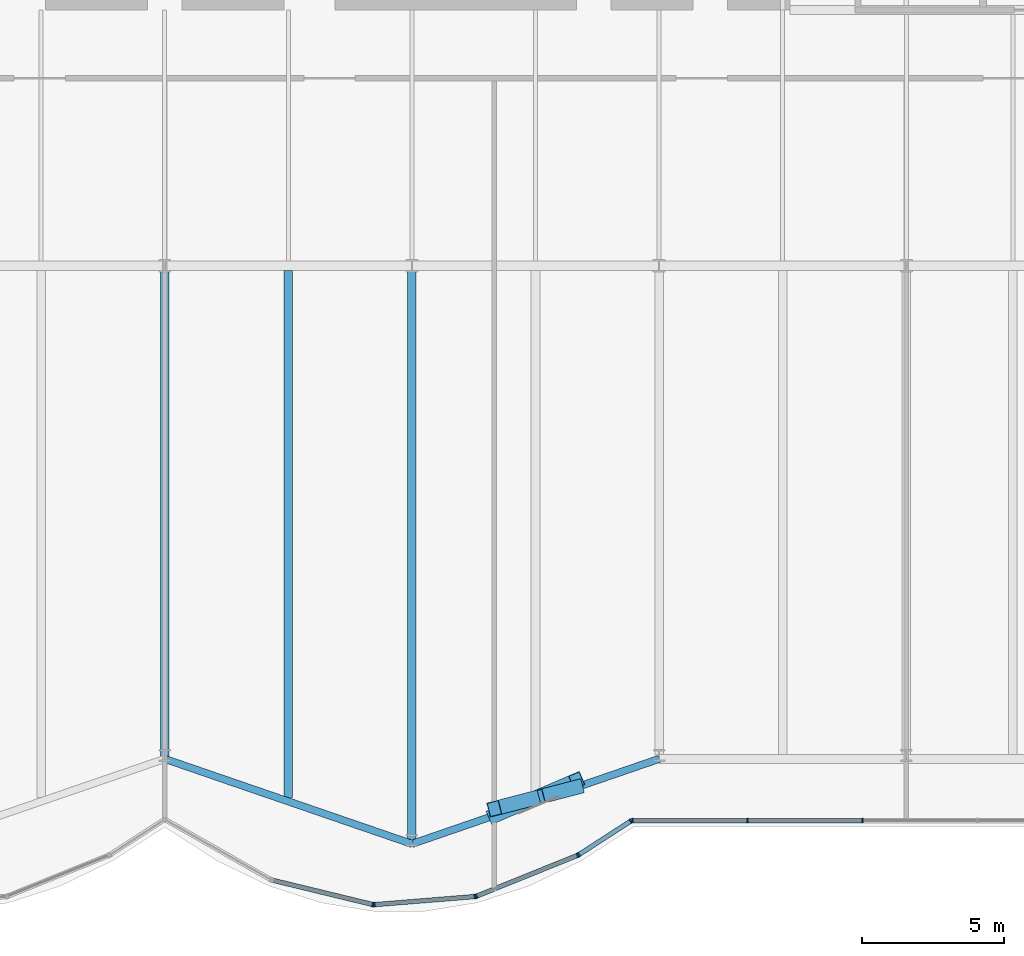
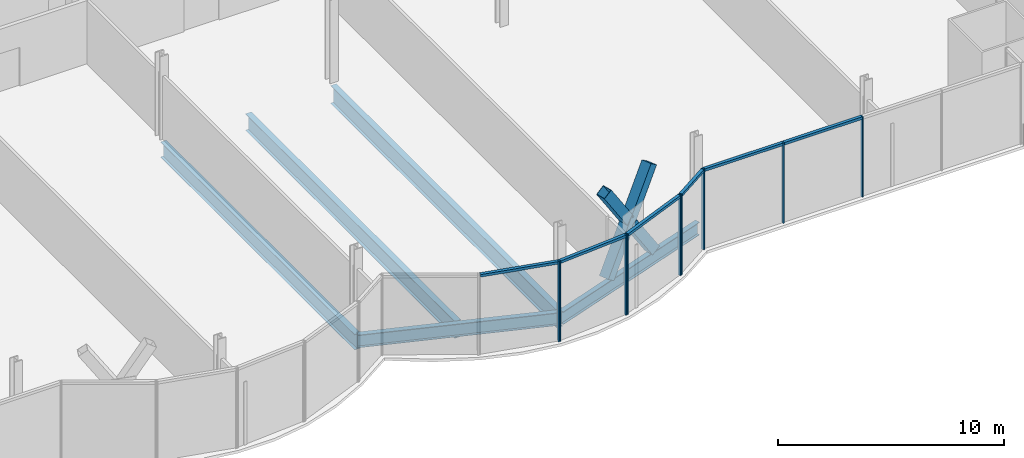
# One storey, part 8 of 22: 19 members, 5 beams, 2 elements without a shape of their own.
"""IFC4 building model written with IfcOpenShell, lengths in metres."""

from ifc_helpers import new_model, si_unit, direction, frame, origin, origin_2d, place, context, subcontext, project, spatial, rectangle, hollow_rectangle, i_section, extrude, material, material_profile, profile_set, type_object, element, aggregate, save


model = new_model("IFC4")

# Units and contexts
model_context = context("Model", 3, precision=1e-05, world=origin(), true_north=direction((0.0, 1.0)))
body_context = subcontext(model_context, "Body", "Model", "MODEL_VIEW")
ifc_project = project(units=[si_unit("LENGTHUNIT", "METRE"), si_unit("AREAUNIT", "SQUARE_METRE"), si_unit("VOLUMEUNIT", "CUBIC_METRE"), si_unit("PLANEANGLEUNIT", "RADIAN"), si_unit("MASSUNIT", "GRAM", prefix="KILO")], contexts=[model_context])

# Site, building, storey
site_placement = place(None, origin())
site = spatial("IfcSite", under=ifc_project, at=site_placement, CompositionType="ELEMENT")
building_placement = place(site_placement, origin())
building = spatial("IfcBuilding", under=site, at=building_placement, Name="Bicima Exchange Tower", CompositionType="ELEMENT")
storey_placement = place(building_placement, frame((0.0, 0.0, 39.5)))
storey = spatial("IfcBuildingStorey", under=building, at=storey_placement, Name="L07", CompositionType="ELEMENT", Elevation=39.5)

# Beams
ifc_material_1 = material(Name="Steel ASTM A992 Gr 50", Category="steel")
ifc_material_profile_1 = material_profile(ifc_material_1, i_section(OverallWidth=0.2919921875, OverallDepth=0.835693359375, WebThickness=0.013916015625, FlangeThickness=0.018798828125, at=origin_2d()))
ifc_profile_set_1 = profile_set([ifc_material_profile_1], Name="Steel ASTM A992 Gr 50")
beam_type_1 = type_object("IfcBeamType", Name="Floor beam W33x118", PredefinedType="JOIST", material=ifc_profile_set_1)
beam_1_placement = place(storey_placement, frame((0.0, -22.16259765625, -0.56787109375), z_axis=(0.0, -1.0, 0.0), x_axis=(1.0, 0.0, 0.0)))
element("IfcBeam", 1, at=beam_1_placement, inside=storey, type_object=beam_type_1, Name="Floor beam", PredefinedType="JOIST", context=body_context, shape_type="SweptSolid", body=[
    extrude(i_section(OverallWidth=0.2919921875, OverallDepth=0.835693359375, WebThickness=0.013916015625, FlangeThickness=0.018798828125, at=origin_2d()), origin(), (0.0, 0.0, 1.0), 17.193359375),
])
ifc_material_profile_2 = material_profile(ifc_material_1, i_section(OverallWidth=0.3046875, OverallDepth=0.904296875, WebThickness=0.01513671875, FlangeThickness=0.02001953125, at=origin_2d()))
ifc_profile_set_2 = profile_set([ifc_material_profile_2], Name="Steel ASTM A992 Gr 50")
beam_type_2 = type_object("IfcBeamType", Name="Floor beam W36x135", PredefinedType="JOIST", material=ifc_profile_set_2)
beam_2_placement = place(storey_placement, frame((4.35009765625, -22.16259765625, -0.60205078125), z_axis=(0.0, -1.0, 0.0), x_axis=(1.0, 0.0, 0.0)))
element("IfcBeam", 2, at=beam_2_placement, inside=storey, type_object=beam_type_2, Name="Floor beam", PredefinedType="JOIST", context=body_context, shape_type="SweptSolid", body=[
    extrude(i_section(OverallWidth=0.3046875, OverallDepth=0.904296875, WebThickness=0.01513671875, FlangeThickness=0.02001953125, at=origin_2d()), origin(), (0.0, 0.0, 1.0), 18.55322265625),
])
ifc_material_profile_3 = material_profile(ifc_material_1, i_section(OverallWidth=0.2998046875, OverallDepth=0.97021484375, WebThickness=0.01611328125, FlangeThickness=0.02099609375, at=origin_2d()))
ifc_profile_set_3 = profile_set([ifc_material_profile_3], Name="Steel ASTM A992 Gr 50")
beam_type_3 = type_object("IfcBeamType", Name="Floor beam W40x149", PredefinedType="JOIST", material=ifc_profile_set_3)
beam_3_placement = place(storey_placement, frame((8.699951171875, -22.16259765625, -0.635009765625), z_axis=(0.0, -1.0, 0.0), x_axis=(1.0, 0.0, 0.0)))
element("IfcBeam", 3, at=beam_3_placement, inside=storey, type_object=beam_type_3, Name="Floor beam", PredefinedType="JOIST", context=body_context, shape_type="SweptSolid", body=[
    extrude(i_section(OverallWidth=0.2998046875, OverallDepth=0.97021484375, WebThickness=0.01611328125, FlangeThickness=0.02099609375, at=origin_2d()), origin(), (0.0, 0.0, 1.0), 20.048828125),
])
ifc_material_profile_4 = material_profile(ifc_material_1, i_section(OverallWidth=0.256591796875, OverallDepth=0.693359375, WebThickness=0.014404296875, FlangeThickness=0.023681640625, at=origin_2d()))
ifc_profile_set_4 = profile_set([ifc_material_profile_4], Name="Steel ASTM A992 Gr 50")
beam_type_4 = type_object("IfcBeamType", Name="Front girder W27x114", PredefinedType="BEAM", material=ifc_profile_set_4)
for number, where, z_axis, x_axis, name in (
    (4, (0.0, -39.35595703125, -0.49658203125), (0.945666456746, -0.325138359143, 0.0), (0.325138359143, 0.945666456746, 0.0), "Front girder"),
    (5, (8.699951171875, -42.34716796875, -0.49658203125), (0.945666456746, 0.325138359143, 0.0), (-0.325138359143, 0.945666456746, 0.0), "Front girder"),
):
    element("IfcBeam", number, at=place(storey_placement, frame(where, z_axis=z_axis, x_axis=x_axis)), inside=storey, type_object=beam_type_4, Name=name, PredefinedType="BEAM", context=body_context, shape_type="SweptSolid", body=[
        extrude(i_section(OverallWidth=0.256591796875, OverallDepth=0.693359375, WebThickness=0.014404296875, FlangeThickness=0.023681640625, at=origin_2d()), origin(), (0.0, 0.0, 1.0), 9.19970703125),
    ])

# Curtain wall, members
ifc_material_2 = material(Name="Anodised bronze aluminium", Category="aluminium")
curtain_wall_type = type_object("IfcCurtainWallType", Name="Front glass wall", PredefinedType="NOTDEFINED", material=ifc_material_2)
curtain_wall_1_placement = place(storey_placement, origin())
curtain_wall_1 = element("IfcCurtainWall", 6, at=curtain_wall_1_placement, inside=storey, type_object=curtain_wall_type, Name="Front glass wall L07 run 11", PredefinedType="NOTDEFINED")
ifc_material_profile_5 = material_profile(ifc_material_2, rectangle(XDim=0.159912109375, YDim=0.06005859375, at=origin_2d()))
ifc_profile_set_5 = profile_set([ifc_material_profile_5], Name="Anodised bronze aluminium")
member_type_1 = type_object("IfcMemberType", Name="Front glass wall mullion 60 x 160", PredefinedType="MULLION", material=ifc_profile_set_5)
member_1_placement = place(storey_placement, frame((7.322509765625, -44.48193359375, 0.0), z_axis=(0.0, 0.0, 1.0), x_axis=(0.235681529503, 0.971830343553, 0.0)))
member_1 = element("IfcMember", 7, at=member_1_placement, type_object=member_type_1, Name="Front glass wall mullion 2", PredefinedType="MULLION", context=body_context, shape_type="SweptSolid", body=[
    extrude(rectangle(XDim=0.159912109375, YDim=0.06005859375, at=origin_2d()), origin(), (0.0, 0.0, 1.0), 4.35009765625),
])
member_2_placement = place(storey_placement, frame((7.381591796875, -44.486572265625, 0.0), z_axis=(0.0, 0.0, 1.0), x_axis=(-0.080588612633, 0.99674744821, 0.0)))
member_2 = element("IfcMember", 8, at=member_2_placement, type_object=member_type_1, Name="Front glass wall mullion 1", PredefinedType="MULLION", context=body_context, shape_type="SweptSolid", body=[
    extrude(rectangle(XDim=0.159912109375, YDim=0.06005859375, at=origin_2d()), origin(), (0.0, 0.0, 1.0), 4.35009765625),
])
member_3_placement = place(storey_placement, frame((10.916015625, -44.20068359375, 0.0), z_axis=(0.0, 0.0, 1.0), x_axis=(-0.080588612633, 0.99674744821, 0.0)))
member_3 = element("IfcMember", 9, at=member_3_placement, type_object=member_type_1, Name="Front glass wall mullion 2", PredefinedType="MULLION", context=body_context, shape_type="SweptSolid", body=[
    extrude(rectangle(XDim=0.159912109375, YDim=0.06005859375, at=origin_2d()), origin(), (0.0, 0.0, 1.0), 4.35009765625),
])
member_4_placement = place(storey_placement, frame((10.973876953125, -44.187255859375, 0.0), z_axis=(0.0, 0.0, 1.0), x_axis=(-0.374705304, 0.92714396679, 0.0)))
member_4 = element("IfcMember", 10, at=member_4_placement, type_object=member_type_1, Name="Front glass wall mullion 1", PredefinedType="MULLION", context=body_context, shape_type="SweptSolid", body=[
    extrude(rectangle(XDim=0.159912109375, YDim=0.06005859375, at=origin_2d()), origin(), (0.0, 0.0, 1.0), 4.35009765625),
])
member_5_placement = place(storey_placement, frame((14.52587890625, -42.751708984375, 0.0), z_axis=(0.0, 0.0, 1.0), x_axis=(-0.374705304, 0.92714396679, 0.0)))
member_5 = element("IfcMember", 11, at=member_5_placement, type_object=member_type_1, Name="Front glass wall mullion 2", PredefinedType="MULLION", context=body_context, shape_type="SweptSolid", body=[
    extrude(rectangle(XDim=0.159912109375, YDim=0.06005859375, at=origin_2d()), origin(), (0.0, 0.0, 1.0), 4.35009765625),
])
member_6_placement = place(storey_placement, frame((14.578857421875, -42.72412109375, 0.0), z_axis=(0.0, 0.0, 1.0), x_axis=(-0.542909183079, 0.839791413941, 0.0)))
member_6 = element("IfcMember", 12, at=member_6_placement, type_object=member_type_1, Name="Front glass wall mullion 1", PredefinedType="MULLION", context=body_context, shape_type="SweptSolid", body=[
    extrude(rectangle(XDim=0.159912109375, YDim=0.06005859375, at=origin_2d()), origin(), (0.0, 0.0, 1.0), 4.35009765625),
])
member_7_placement = place(storey_placement, frame((16.406982421875, -41.542236328125, 0.0), z_axis=(0.0, 0.0, 1.0), x_axis=(-0.542909183079, 0.839791413941, 0.0)))
member_7 = element("IfcMember", 13, at=member_7_placement, type_object=member_type_1, Name="Front glass wall mullion 2", PredefinedType="MULLION", context=body_context, shape_type="SweptSolid", body=[
    extrude(rectangle(XDim=0.159912109375, YDim=0.06005859375, at=origin_2d()), origin(), (0.0, 0.0, 1.0), 4.35009765625),
])

curtain_wall_2_placement = place(storey_placement, origin())
curtain_wall_2 = element("IfcCurtainWall", 14, at=curtain_wall_2_placement, inside=storey, type_object=curtain_wall_type, Name="Front glass wall L07 run 16", PredefinedType="NOTDEFINED")
member_8_placement = place(storey_placement, frame((16.462158203125, -41.52587890625, 0.0), z_axis=(0.0, 0.0, 1.0), x_axis=(0.0, 1.0, 0.0)))
member_8 = element("IfcMember", 15, at=member_8_placement, type_object=member_type_1, Name="Front glass wall mullion 1", PredefinedType="MULLION", context=body_context, shape_type="SweptSolid", body=[
    extrude(rectangle(XDim=0.159912109375, YDim=0.06005859375, at=origin_2d()), origin(), (0.0, 0.0, 1.0), 4.35009765625),
])
member_9_placement = place(storey_placement, frame((20.51171875, -41.52587890625, 0.0), z_axis=(0.0, 0.0, 1.0), x_axis=(0.0, 1.0, 0.0)))
member_9 = element("IfcMember", 16, at=member_9_placement, type_object=member_type_1, Name="Front glass wall mullion 2", PredefinedType="MULLION", context=body_context, shape_type="SweptSolid", body=[
    extrude(rectangle(XDim=0.159912109375, YDim=0.06005859375, at=origin_2d()), origin(), (0.0, 0.0, 1.0), 4.35009765625),
])
member_10_placement = place(storey_placement, frame((24.56103515625, -41.52587890625, 0.0), z_axis=(0.0, 0.0, 1.0), x_axis=(0.0, 1.0, 0.0)))
member_10 = element("IfcMember", 17, at=member_10_placement, type_object=member_type_1, Name="Front glass wall mullion 3", PredefinedType="MULLION", context=body_context, shape_type="SweptSolid", body=[
    extrude(rectangle(XDim=0.159912109375, YDim=0.06005859375, at=origin_2d()), origin(), (0.0, 0.0, 1.0), 4.35009765625),
])

# Member
ifc_material_profile_6 = material_profile(ifc_material_2, rectangle(XDim=0.159912109375, YDim=0.139892578125, at=origin_2d()))
ifc_profile_set_6 = profile_set([ifc_material_profile_6], Name="Anodised bronze aluminium")
member_type_2 = type_object("IfcMemberType", Name="Front glass wall transom 140 x 160", PredefinedType="USERDEFINED", material=ifc_profile_set_6)
member_11_placement = place(storey_placement, frame((3.81103515625, -43.63037109375, 4.280029296875), z_axis=(0.971833557815, -0.235668275132, 0.0), x_axis=(0.235668275132, 0.971833557815, 0.0)))
member_11 = element("IfcMember", 18, at=member_11_placement, type_object=member_type_2, Name="Front glass wall transom 1.1", ObjectType="TRANSOM", PredefinedType="USERDEFINED", context=body_context, shape_type="SweptSolid", body=[
    extrude(rectangle(XDim=0.159912109375, YDim=0.139892578125, at=origin_2d()), origin(), (0.0, 0.0, 1.0), 3.583251953125),
])

member_12_placement = place(storey_placement, frame((7.41162109375, -44.484130859375, 4.280029296875), z_axis=(0.9967456465, 0.080610893699, 0.0), x_axis=(-0.080610893699, 0.9967456465, 0.0)))
member_12 = element("IfcMember", 19, at=member_12_placement, type_object=member_type_2, Name="Front glass wall transom 1.1", ObjectType="TRANSOM", PredefinedType="USERDEFINED", context=body_context, shape_type="SweptSolid", body=[
    extrude(rectangle(XDim=0.159912109375, YDim=0.139892578125, at=origin_2d()), origin(), (0.0, 0.0, 1.0), 3.48583984375),
])

member_13_placement = place(storey_placement, frame((11.001708984375, -44.17578125, 4.280029296875), z_axis=(0.927140215882, 0.374714584842, 0.0), x_axis=(-0.374714584842, 0.927140215882, 0.0)))
member_13 = element("IfcMember", 20, at=member_13_placement, type_object=member_type_2, Name="Front glass wall transom 1.1", ObjectType="TRANSOM", PredefinedType="USERDEFINED", context=body_context, shape_type="SweptSolid", body=[
    extrude(rectangle(XDim=0.159912109375, YDim=0.139892578125, at=origin_2d()), origin(), (0.0, 0.0, 1.0), 3.77099609375),
])

member_14_placement = place(storey_placement, frame((14.60400390625, -42.707763671875, 4.280029296875), z_axis=(0.839792890287, 0.542906899407, 0.0), x_axis=(-0.542906899407, 0.839792890287, 0.0)))
member_14 = element("IfcMember", 21, at=member_14_placement, type_object=member_type_2, Name="Front glass wall transom 1.1", ObjectType="TRANSOM", PredefinedType="USERDEFINED", context=body_context, shape_type="SweptSolid", body=[
    extrude(rectangle(XDim=0.159912109375, YDim=0.139892578125, at=origin_2d()), origin(), (0.0, 0.0, 1.0), 2.11669921875),
])

aggregate(curtain_wall_1, [member_1, member_11, member_2, member_3, member_12, member_4, member_5, member_13, member_6, member_7, member_14])

member_15_placement = place(storey_placement, frame((16.4921875, -41.52587890625, 4.280029296875), z_axis=(1.0, 0.0, 0.0), x_axis=(0.0, 1.0, 0.0)))
member_15 = element("IfcMember", 22, at=member_15_placement, type_object=member_type_2, Name="Front glass wall transom 1.1", ObjectType="TRANSOM", PredefinedType="USERDEFINED", context=body_context, shape_type="SweptSolid", body=[
    extrude(rectangle(XDim=0.159912109375, YDim=0.139892578125, at=origin_2d()), origin(), (0.0, 0.0, 1.0), 3.989501953125),
])

member_16_placement = place(storey_placement, frame((20.54150390625, -41.52587890625, 4.280029296875), z_axis=(1.0, 0.0, 0.0), x_axis=(0.0, 1.0, 0.0)))
member_16 = element("IfcMember", 23, at=member_16_placement, type_object=member_type_2, Name="Front glass wall transom 2.1", ObjectType="TRANSOM", PredefinedType="USERDEFINED", context=body_context, shape_type="SweptSolid", body=[
    extrude(rectangle(XDim=0.159912109375, YDim=0.139892578125, at=origin_2d()), origin(), (0.0, 0.0, 1.0), 3.989501953125),
])

aggregate(curtain_wall_2, [member_8, member_9, member_10, member_15, member_16])

# Members
ifc_material_3 = material(Name="Steel ASTM A572 Gr 50", Category="steel")
ifc_material_profile_7 = material_profile(ifc_material_3, hollow_rectangle(XDim=0.508056640625, YDim=0.508056640625, WallThickness=0.017822265625, at=origin_2d()))
ifc_profile_set_7 = profile_set([ifc_material_profile_7], Name="Steel ASTM A572 Gr 50")
member_type_3 = type_object("IfcMemberType", Name="Mega brace HSS20x20x3/4", PredefinedType="BRACE", material=ifc_profile_set_7)
member_17_placement = place(storey_placement, frame((11.60009765625, -41.35009765625, 0.0), z_axis=(0.527690926738, 0.22586131264, 0.818858323088), x_axis=(-0.393489565228, 0.919329082569, 0.0)))
element("IfcMember", 24, at=member_17_placement, inside=storey, type_object=member_type_3, Name="Mega brace front", PredefinedType="BRACE", context=body_context, shape_type="SweptSolid", body=[
    extrude(hollow_rectangle(XDim=0.508056640625, YDim=0.508056640625, WallThickness=0.017822265625, at=origin_2d()), origin(), (0.0, 0.0, 1.0), 5.495361328125),
])
for number, where, z_axis, x_axis, name in (
    (25, (14.5, -40.35302734375, 0.0), (-0.536441430788, -0.139332947547, 0.832356246485), (0.251394157355, -0.967884795649, 0.0), "Mega brace front"),
    (26, (12.966552734375, -40.751220703125, 2.37939453125), (-0.536380334385, -0.139246136477, 0.832410145518), (0.251274228549, -0.9679159375, 0.0), "Mega brace front"),
):
    element("IfcMember", number, at=place(storey_placement, frame(where, z_axis=z_axis, x_axis=x_axis)), inside=storey, type_object=member_type_3, Name=name, PredefinedType="BRACE", context=body_context, shape_type="SweptSolid", body=[
        extrude(hollow_rectangle(XDim=0.508056640625, YDim=0.508056640625, WallThickness=0.017822265625, at=origin_2d()), origin(), (0.0, 0.0, 1.0), 2.547607421875),
    ])

save(model, "model.ifc")
